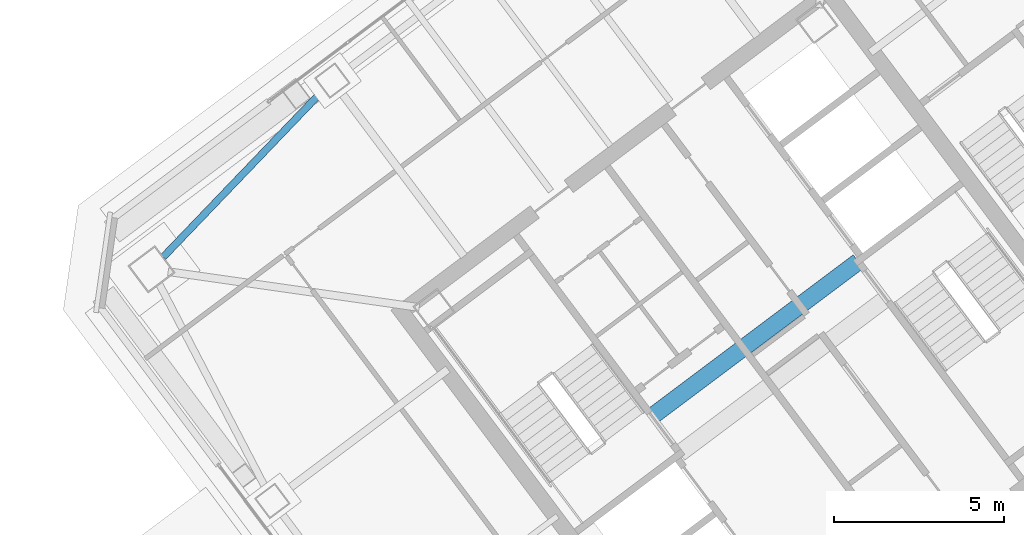
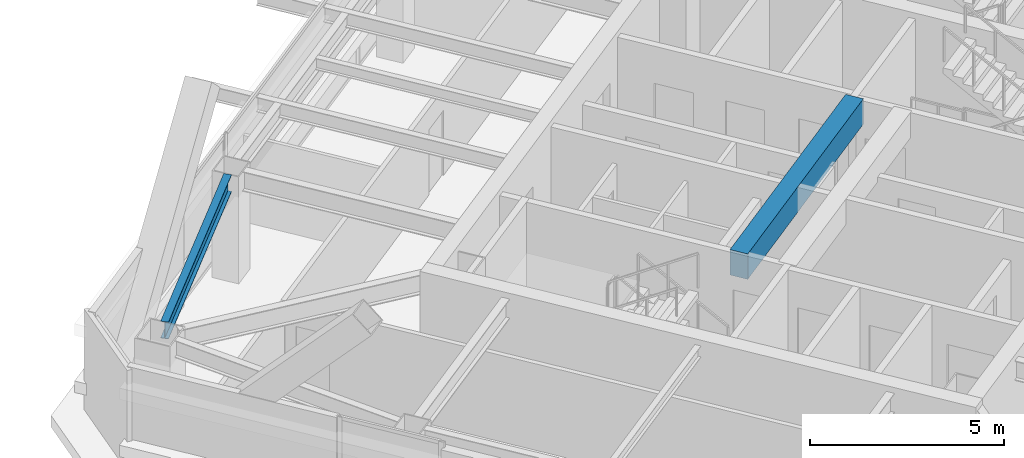
# One storey, part 19 of 39: 2 beams.
"""IFC4 building model written with IfcOpenShell, lengths in metres."""

import ifcopenshell
import ifcopenshell.guid

model = None  # the IFC model being written
_history = None  # IfcOwnerHistory: only IFC2X3 demands one
_inside = {}  # id of a spatial element -> (the spatial element, [elements in it])
_under = {}  # id of a project, library or spatial element -> (it, [spatial elements below it])
_declared = {}  # id of a project -> (the project, [libraries it declares])
_typed = {}  # id of a type object -> (the type object, [elements of that type])
_made_of = {}  # id of a material, layer set ... -> (it, [elements and type objects made of it])


def new_model(schema):
    """Start an empty IFC model of exactly this schema.

    Asked for "IFC4X3", IfcOpenShell would pick the latest addendum, in which some entities
    have other attributes; the version numbers below select the first issue.
    IFC2X3 requires an IfcOwnerHistory on every rooted entity: one is made here for all.
    """
    global model, _history
    if schema == "IFC4X3":
        model = ifcopenshell.file(schema_version=(4, 3, 0, 0))
    else:
        model = ifcopenshell.file(schema=schema)
    _inside.clear()
    _under.clear()
    _declared.clear()
    _typed.clear()
    _made_of.clear()
    _history = None
    if model.schema == "IFC2X3":
        org = make("IfcOrganization", Name="unknown")
        user = make(
            "IfcPersonAndOrganization",
            ThePerson=make("IfcPerson", FamilyName="unknown"),
            TheOrganization=org,
        )
        app = make(
            "IfcApplication",
            ApplicationDeveloper=org,
            Version="unknown",
            ApplicationFullName="unknown",
            ApplicationIdentifier="unknown",
        )
        _history = make(
            "IfcOwnerHistory",
            OwningUser=user,
            OwningApplication=app,
            ChangeAction="ADDED",
            CreationDate=0,
        )
    return model


def make(cls, **values):
    """One entity of the class cls with the attributes given. An attribute that is None is left unset."""
    return model.create_entity(
        cls, **{name: value for name, value in values.items() if value is not None}
    )


def rooted(cls, **values):
    """An entity with a GlobalId (a new one), such as an element, a storey or a relation."""
    return make(cls, GlobalId=ifcopenshell.guid.new(), OwnerHistory=_history, **values)


def si_unit(unit_type, name, prefix=None):
    """IfcSIUnit, for example si_unit("LENGTHUNIT", "METRE", prefix="MILLI")."""
    return make("IfcSIUnit", UnitType=unit_type, Prefix=prefix, Name=name)


def assignment(units):
    """IfcUnitAssignment: the units of a project."""
    return None if units is None else make("IfcUnitAssignment", Units=units)


def point(xyz):
    """IfcCartesianPoint."""
    return None if xyz is None else make("IfcCartesianPoint", Coordinates=xyz)


def direction(xyz):
    """IfcDirection."""
    return None if xyz is None else make("IfcDirection", DirectionRatios=xyz)


def frame(location, z_axis=None, x_axis=None):
    """IfcAxis2Placement3D, a coordinate frame: its origin and axes. An axis left out is left unset."""
    return make(
        "IfcAxis2Placement3D",
        Location=point(location),
        Axis=direction(z_axis),
        RefDirection=direction(x_axis),
    )


def frame_2d(location, x_axis=None):
    """IfcAxis2Placement2D, a coordinate frame in the plane: its origin and x axis."""
    return make(
        "IfcAxis2Placement2D", Location=point(location), RefDirection=direction(x_axis)
    )


def origin():
    """The frame at (0, 0, 0) with its axes left unset."""
    return frame((0.0, 0.0, 0.0))


def origin_2d():
    """The frame at (0, 0) in the plane with its x axis left unset."""
    return frame_2d((0.0, 0.0))


def place(relative_to, where):
    """IfcLocalPlacement: puts the frame where relative to a parent placement (None: the world)."""
    return make(
        "IfcLocalPlacement", PlacementRelTo=relative_to, RelativePlacement=where
    )


def context(
    kind, dimensions, precision=None, world=None, true_north=None, identifier=None
):
    """IfcGeometricRepresentationContext, for example the 3D "Model" context."""
    return make(
        "IfcGeometricRepresentationContext",
        ContextIdentifier=identifier,
        ContextType=kind,
        CoordinateSpaceDimension=dimensions,
        Precision=precision,
        WorldCoordinateSystem=world,
        TrueNorth=true_north,
    )


def subcontext(parent, identifier, kind, view, scale=None):
    """IfcGeometricRepresentationSubContext, for example "Body" below "Model"."""
    return make(
        "IfcGeometricRepresentationSubContext",
        ContextIdentifier=identifier,
        ContextType=kind,
        ParentContext=parent,
        TargetScale=scale,
        TargetView=view,
    )


def project(units=None, contexts=None):
    """IfcProject with its units and contexts."""
    return rooted(
        "IfcProject",
        Name="project",
        RepresentationContexts=contexts,
        UnitsInContext=assignment(units),
    )


def spatial(cls, under=None, at=None, **own):
    """A site, building, storey or space (cls), placed at a placement, below another one or the project."""
    s = rooted(cls, ObjectPlacement=at, **own)
    if under is not None:
        _under.setdefault(under.id(), (under, []))[1].append(s)
    return s


def profile(cls, at=None, kind="AREA", **sizes):
    """A parametric profile (cls). Its sizes go by their IFC names, for example OverallWidth=200.0."""
    return make(cls, ProfileType=kind, Position=at, **sizes)


def rectangle(**sizes):
    """IfcRectangleProfileDef."""
    return profile("IfcRectangleProfileDef", **sizes)


def i_section(**sizes):
    """IfcIShapeProfileDef."""
    return profile("IfcIShapeProfileDef", **sizes)


def extrude(swept, where, along, depth):
    """IfcExtrudedAreaSolid: the profile swept, set in the frame where, extruded along a direction by depth."""
    return make(
        "IfcExtrudedAreaSolid",
        SweptArea=swept,
        Position=where,
        ExtrudedDirection=direction(along),
        Depth=depth,
    )


def shape(context_of_items, identifier, shape_type, items):
    """IfcShapeRepresentation: the items that make up one representation, for example the "Body"."""
    return make(
        "IfcShapeRepresentation",
        ContextOfItems=context_of_items,
        RepresentationIdentifier=identifier,
        RepresentationType=shape_type,
        Items=items,
    )


def material(Name=None, Category=None):
    """IfcMaterial."""
    return make("IfcMaterial", Name=Name, Category=Category)


def material_profile(
    of_material, cross_section, Name=None, Category=None, Priority=None
):
    """IfcMaterialProfile: a cross section and its material."""
    return make(
        "IfcMaterialProfile",
        Name=Name,
        Material=of_material,
        Profile=cross_section,
        Priority=Priority,
        Category=Category,
    )


def profile_set(profiles, Name=None, composite=None):
    """IfcMaterialProfileSet."""
    return make(
        "IfcMaterialProfileSet",
        Name=Name,
        MaterialProfiles=profiles,
        CompositeProfile=composite,
    )


def made_of(thing, what):
    """Note that an element or type object is made of a material, layer set ...; save() writes the relation."""
    if what is not None:
        _made_of.setdefault(what.id(), (what, []))[1].append(thing)
    return thing


def type_object(cls, material=None, **own):
    """A type object (cls), such as IfcWallType, which elements share."""
    return made_of(rooted(cls, **own), material)


def element(
    cls,
    number,
    at=None,
    inside=None,
    cuts=None,
    type_object=None,
    material=None,
    context=None,
    identifier="Body",
    shape_type=None,
    held_by="IfcProductDefinitionShape",
    body=None,
    shapes=None,
    **own,
):
    """One element of the class cls, such as IfcWall. Its Tag is "e" and its number.

    at: its placement. inside: the storey or other place that contains it. cuts: it is an
    opening in that element (IfcRelVoidsElement). A single representation is given by context,
    identifier, shape_type and body (its items); several are given by shapes. held_by: the class
    of the entity that holds the representations. save() writes the other relations.
    """
    e = rooted(cls, Tag="e%d" % number, ObjectPlacement=at, **own)
    if body is not None:
        shapes = [shape(context, identifier, shape_type, body)]
    if shapes is not None:
        e.Representation = make(held_by, Representations=shapes)
    if inside is not None:
        _inside.setdefault(inside.id(), (inside, []))[1].append(e)
    if cuts is not None:
        rooted(
            "IfcRelVoidsElement", RelatingBuildingElement=cuts, RelatedOpeningElement=e
        )
    if type_object is not None:
        _typed.setdefault(type_object.id(), (type_object, []))[1].append(e)
    return made_of(e, material)


def aggregate(whole, parts):
    """IfcRelAggregates: a whole, such as a stair, and the parts it consists of."""
    return rooted("IfcRelAggregates", RelatingObject=whole, RelatedObjects=parts)


def save(model, path):
    """Write the relations noted so far, then the file.

    IfcRelAggregates (storeys below a building ...), IfcRelContainedInSpatialStructure (elements
    in a storey), IfcRelDefinesByType, IfcRelAssociatesMaterial and IfcRelDeclares: one each for
    every whole, place, type object, material and project.
    """
    for whole, parts in _under.values():
        aggregate(whole, parts)
    for where, things in _inside.values():
        rooted(
            "IfcRelContainedInSpatialStructure",
            RelatedElements=things,
            RelatingStructure=where,
        )
    for kind, things in _typed.values():
        rooted("IfcRelDefinesByType", RelatedObjects=things, RelatingType=kind)
    for what, things in _made_of.values():
        rooted("IfcRelAssociatesMaterial", RelatedObjects=things, RelatingMaterial=what)
    for by, libraries in _declared.values():
        rooted("IfcRelDeclares", RelatingContext=by, RelatedDefinitions=libraries)
    model.write(path)


model = new_model("IFC4")

# Units and contexts
model_context = context("Model", 3, precision=1e-05, world=origin(), true_north=direction((0.0, 1.0)))
body_context = subcontext(model_context, "Body", "Model", "MODEL_VIEW")
ifc_project = project(units=[si_unit("LENGTHUNIT", "METRE"), si_unit("AREAUNIT", "SQUARE_METRE"), si_unit("VOLUMEUNIT", "CUBIC_METRE"), si_unit("PLANEANGLEUNIT", "RADIAN"), si_unit("MASSUNIT", "GRAM", prefix="KILO")], contexts=[model_context])

# Site, building, storey
site_placement = place(None, origin())
site = spatial("IfcSite", under=ifc_project, at=site_placement, CompositionType="ELEMENT")
building_placement = place(site_placement, origin())
building = spatial("IfcBuilding", under=site, at=building_placement, Name="Tashvorn Skyway Center", CompositionType="ELEMENT")
storey_placement = place(building_placement, frame((0.0, 0.0, 232.60009765625)))
storey = spatial("IfcBuildingStorey", under=building, at=storey_placement, Name="L63", CompositionType="ELEMENT", Elevation=232.60009765625)

# Beams
ifc_material_1 = material(Name="Concrete C50/60", Category="concrete")
ifc_material_profile_1 = material_profile(ifc_material_1, rectangle(XDim=0.5, YDim=0.800048828125, at=origin_2d()), Name="RCB500x800")
ifc_profile_set_1 = profile_set([ifc_material_profile_1], Name="Concrete C50/60")
beam_type_1 = type_object("IfcBeamType", Name="BM-LINTEL-RCB500x800", PredefinedType="LINTEL", material=ifc_profile_set_1)
beam_1_placement = place(storey_placement, frame((110.552001953125, 30.263916015625, 2.969970703125), z_axis=(0.8, 0.6, 0.0), x_axis=(-0.6, 0.8, 0.0)))
element("IfcBeam", 1, at=beam_1_placement, inside=storey, type_object=beam_type_1, Name="Tower 2 L63 Core Coupling Beam CN", PredefinedType="LINTEL", context=body_context, shape_type="SweptSolid", body=[
    extrude(rectangle(XDim=0.5, YDim=0.800048828125, at=origin_2d()), origin(), (0.0, 0.0, 1.0), 7.60009765625),
])
ifc_material_2 = material(Name="Steel ASTM A992 Grade 50", Category="steel")
ifc_material_profile_2 = material_profile(ifc_material_2, i_section(OverallWidth=0.2109375, OverallDepth=0.5390625, WebThickness=0.01171875, FlangeThickness=0.018798828125, at=origin_2d()), Name="W21X73")
ifc_profile_set_2 = profile_set([ifc_material_profile_2], Name="Steel ASTM A992 Grade 50")
beam_type_2 = type_object("IfcBeamType", Name="BM-SPANDREL-W21X73", PredefinedType="SPANDREL", material=ifc_profile_set_2)
beam_2_placement = place(storey_placement, frame((100.8740234375, 39.892822265625, 3.100341796875), z_axis=(-0.69202323926, -0.72187522213, 0.0), x_axis=(0.72187522213, -0.69202323926, 0.0)))
element("IfcBeam", 2, at=beam_2_placement, inside=storey, type_object=beam_type_2, Name="Tower 2 L63 Spandrel Beam 09", PredefinedType="SPANDREL", context=body_context, shape_type="SweptSolid", body=[
    extrude(i_section(OverallWidth=0.2109375, OverallDepth=0.5390625, WebThickness=0.01171875, FlangeThickness=0.018798828125, at=origin_2d()), origin(), (0.0, 0.0, 1.0), 6.837158203125),
])

save(model, "model.ifc")
